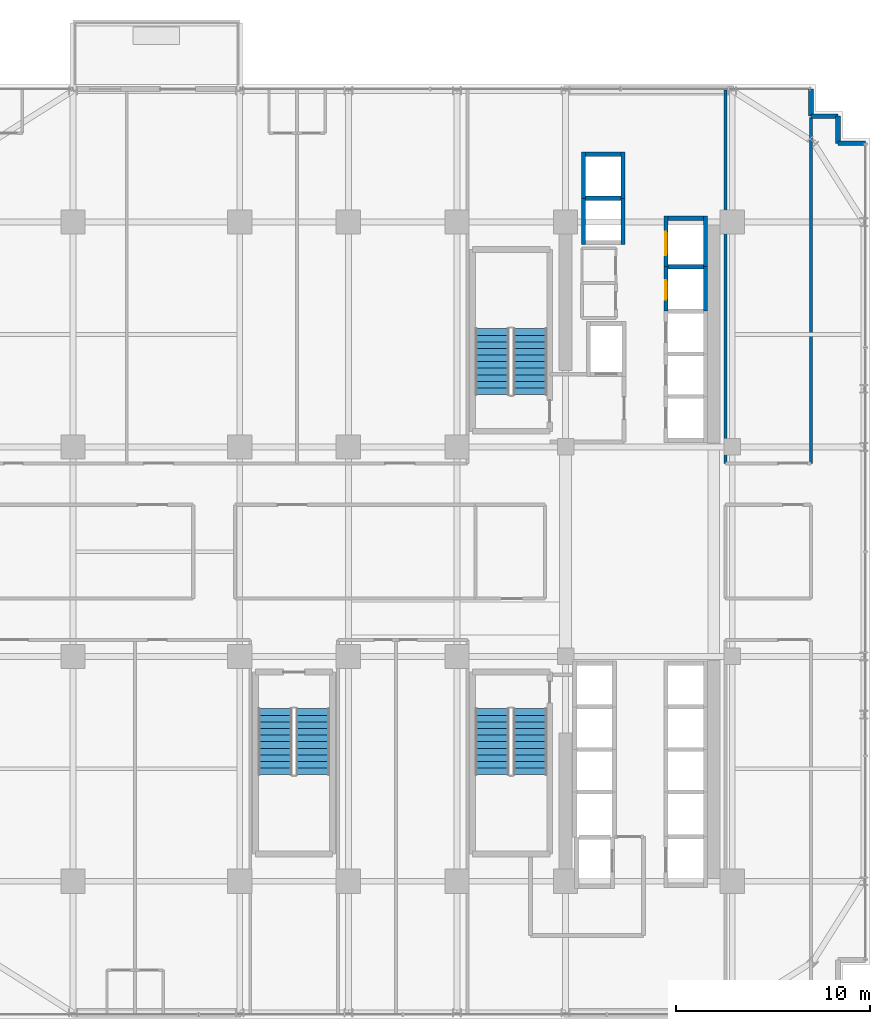
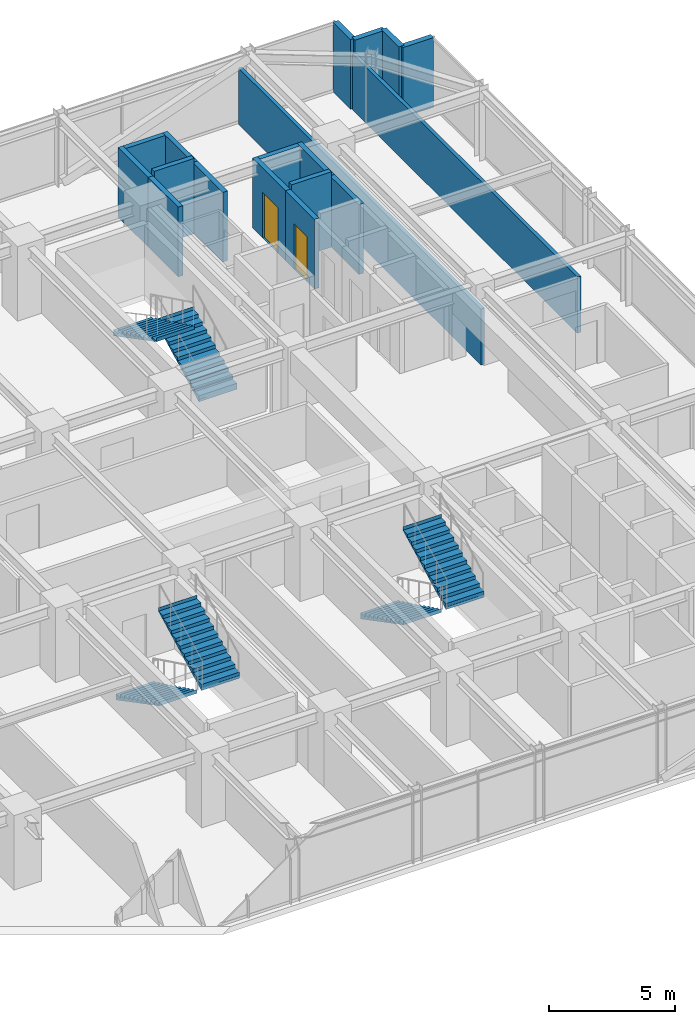
# One storey, part 31 of 35: 18 walls, 6 stair flights, 2 doors, 2 openings, 3 elements without a shape of their own.
"""IFC4 building model written with IfcOpenShell, lengths in metres."""

from ifc_helpers import new_model, si_unit, direction, frame, frame_2d, origin, place, context, subcontext, project, spatial, polyline, rectangle, outline, extrude, source, transform, mapped, material, layer, layer_set, type_object, element, fill, aggregate, save


model = new_model("IFC4")

# Units and contexts
model_context = context("Model", 3, precision=1e-05, world=origin(), true_north=direction((0.0, 1.0)))
body_context = subcontext(model_context, "Body", "Model", "MODEL_VIEW")
ifc_project = project(units=[si_unit("LENGTHUNIT", "METRE"), si_unit("AREAUNIT", "SQUARE_METRE"), si_unit("VOLUMEUNIT", "CUBIC_METRE"), si_unit("PLANEANGLEUNIT", "RADIAN"), si_unit("MASSUNIT", "GRAM", prefix="KILO")], contexts=[model_context])

# Site, building, storey
site_placement = place(None, origin())
site = spatial("IfcSite", under=ifc_project, at=site_placement, CompositionType="ELEMENT")
building_placement = place(site_placement, origin())
building = spatial("IfcBuilding", under=site, at=building_placement, Name="Nahalor Promenade Grand Hotel", CompositionType="ELEMENT")
storey_placement = place(building_placement, frame((0.0, 0.0, 106.550048828125)))
storey = spatial("IfcBuildingStorey", under=building, at=storey_placement, Name="L26", CompositionType="ELEMENT", Elevation=106.550048828125)

# Walls
ifc_material_1 = material(Name="Concrete B-50 (C40/50)", Category="concrete")
ifc_layer_1 = layer(ifc_material_1, 0.219970703125)
ifc_layer_set_1 = layer_set([ifc_layer_1], Name="Concrete B-50 (C40/50)")
wall_type_1 = type_object("IfcWallType", Name="Wall-LiftShaft-220", PredefinedType="SHEAR", material=ifc_layer_set_1)
shared_shape_1 = source(origin(), body_context, "Body", "SweptSolid", [
    extrude(rectangle(XDim=1.820068359375, YDim=0.219970703125, at=frame_2d((0.91015625, 0.0))), origin(), (0.0, 0.0, 1.0), 3.64990234375),
])
for number, where, z_axis, x_axis, name in (
    (1, (13.68994140625, 14.699951171875, 0.0), (0.0, 0.0, 1.0), (1.0, 0.0, 0.0), "L26 Lift PL4 Hoistway Wall N"),
    (2, (9.43994140625, 18.22509765625, 0.0), (0.0, 0.0, 1.0), (1.0, 0.0, 0.0), "L26 Lift OB1 Hoistway Wall N"),
):
    element("IfcWall", number, at=place(storey_placement, frame(where, z_axis=z_axis, x_axis=x_axis)), inside=storey, type_object=wall_type_1, Name=name, PredefinedType="SHEAR", context=body_context, shape_type="MappedRepresentation", body=[
        mapped(shared_shape_1, transform((0.0, 0.0, 0.0), scale=1.0)),
    ])
shared_shape_2 = source(origin(), body_context, "Body", "SweptSolid", [
    extrude(rectangle(XDim=1.820068359375, YDim=0.219970703125, at=frame_2d((0.91015625, 0.0))), origin(), (0.0, 0.0, 1.0), 3.3798828125),
])
for number, where, z_axis, x_axis, name in (
    (3, (9.43994140625, 20.5, 0.0), (0.0, 0.0, 1.0), (1.0, 0.0, 0.0), "L26 Lift OB2 Hoistway Wall N"),
    (4, (13.68994140625, 17.199951171875, 0.0), (0.0, 0.0, 1.0), (1.0, 0.0, 0.0), "L26 Lift SV1 Hoistway Wall N"),
):
    element("IfcWall", number, at=place(storey_placement, frame(where, z_axis=z_axis, x_axis=x_axis)), inside=storey, type_object=wall_type_1, Name=name, PredefinedType="SHEAR", context=body_context, shape_type="MappedRepresentation", body=[
        mapped(shared_shape_2, transform((0.0, 0.0, 0.0), scale=1.0)),
    ])

# Wall, opening, door
shared_shape_3 = source(origin(), body_context, "Body", "SweptSolid", [
    extrude(rectangle(XDim=2.300048828125, YDim=0.219970703125, at=frame_2d((1.14990234375, 0.0))), origin(), (0.0, 0.0, 1.0), 3.3798828125),
])
wall_1_placement = place(storey_placement, frame((13.580078125, 12.39990234375, 0.0), z_axis=(0.0, 0.0, 1.0), x_axis=(0.0, 1.0, 0.0)))
wall_1 = element("IfcWall", 5, at=wall_1_placement, inside=storey, type_object=wall_type_1, Name="L26 Lift PL4 Hoistway Wall W", PredefinedType="SHEAR", context=body_context, shape_type="MappedRepresentation", body=[
    mapped(shared_shape_3, transform((0.0, 0.0, 0.0), scale=1.0)),
])
opening_1_placement = place(wall_1_placement, frame((0.60009765625, 0.0, 0.0)))
opening_1 = element("IfcOpeningElement", 6, at=opening_1_placement, cuts=wall_1, Name="Opening LD-01", PredefinedType="OPENING", context=body_context, shape_type="SweptSolid", body=[
    extrude(rectangle(XDim=1.0, YDim=2.199951171875, at=frame_2d((0.5, 1.10009765625))), frame((0.0, 0.119873046875, 0.0), z_axis=(0.0, -1.0, 0.0), x_axis=(1.0, 0.0, 0.0)), (0.0, 0.0, 1.0), 0.239990234375),
])
ifc_material_2 = material(Name="Steel S355JR", Category="steel")
door_type_1 = type_object("IfcDoorType", Name="Door-LiftLanding-1000", OperationType="DOUBLE_DOOR_SLIDING", PredefinedType="DOOR", material=ifc_material_2)
shared_shape_4 = source(origin(), body_context, "Body", "SweptSolid", [
    extrude(rectangle(XDim=1.0, YDim=2.199951171875, at=frame_2d((0.5, 1.10009765625))), frame((0.0, 0.02490234375, 0.0), z_axis=(0.0, -1.0, 0.0), x_axis=(1.0, 0.0, 0.0)), (0.0, 0.0, 1.0), 0.050048828125),
])
door_1_placement = place(opening_1_placement, origin())
door_1 = element("IfcDoor", 7, at=door_1_placement, inside=storey, type_object=door_type_1, Name="DR-LIFT-PL4-L26", OperationType="DOUBLE_DOOR_SLIDING", OverallHeight=2.199951171875, OverallWidth=1.0, PredefinedType="DOOR", context=body_context, shape_type="MappedRepresentation", body=[
    mapped(shared_shape_4, transform((0.0, 0.0, 0.0), scale=1.0)),
])
fill(opening_1, door_1)

# Walls
wall_2_placement = place(storey_placement, frame((15.6201171875, 12.39990234375, 0.0), z_axis=(0.0, 0.0, 1.0), x_axis=(0.0, 1.0, 0.0)))
element("IfcWall", 8, at=wall_2_placement, inside=storey, type_object=wall_type_1, Name="L26 Lift PL4 Hoistway Wall E", PredefinedType="SHEAR", context=body_context, shape_type="MappedRepresentation", body=[
    mapped(shared_shape_3, transform((0.0, 0.0, 0.0), scale=1.0)),
])
shared_shape_5 = source(origin(), body_context, "Body", "SweptSolid", [
    extrude(rectangle(XDim=2.385009765625, YDim=0.219970703125, at=frame_2d((1.1923828125, 0.0))), origin(), (0.0, 0.0, 1.0), 3.3798828125),
])
for number, where, z_axis, x_axis, name in (
    (9, (9.330078125, 15.840087890625, 0.0), (0.0, 0.0, 1.0), (0.0, 1.0, 0.0), "L26 Lift OB1 Hoistway Wall W"),
    (10, (11.3701171875, 15.840087890625, 0.0), (0.0, 0.0, 1.0), (0.0, 1.0, 0.0), "L26 Lift OB1 Hoistway Wall E"),
    (11, (9.330078125, 18.22509765625, 0.0), (0.0, 0.0, 1.0), (0.0, 1.0, 0.0), "L26 Lift OB2 Hoistway Wall W"),
    (12, (11.3701171875, 18.22509765625, 0.0), (0.0, 0.0, 1.0), (0.0, 1.0, 0.0), "L26 Lift OB2 Hoistway Wall E"),
):
    element("IfcWall", number, at=place(storey_placement, frame(where, z_axis=z_axis, x_axis=x_axis)), inside=storey, type_object=wall_type_1, Name=name, PredefinedType="SHEAR", context=body_context, shape_type="MappedRepresentation", body=[
        mapped(shared_shape_5, transform((0.0, 0.0, 0.0), scale=1.0)),
    ])

# Wall, opening, door
shared_shape_6 = source(origin(), body_context, "Body", "SweptSolid", [
    extrude(rectangle(XDim=2.610107421875, YDim=0.219970703125, at=frame_2d((1.30517578125, 0.0))), origin(), (0.0, 0.0, 1.0), 3.3798828125),
])
wall_3_placement = place(storey_placement, frame((13.580078125, 14.699951171875, 0.0), z_axis=(0.0, 0.0, 1.0), x_axis=(0.0, 1.0, 0.0)))
wall_3 = element("IfcWall", 13, at=wall_3_placement, inside=storey, type_object=wall_type_1, Name="L26 Lift SV1 Hoistway Wall W", PredefinedType="SHEAR", context=body_context, shape_type="MappedRepresentation", body=[
    mapped(shared_shape_6, transform((0.0, 0.0, 0.0), scale=1.0)),
])
opening_2_placement = place(wall_3_placement, frame((0.60009765625, 0.0, 0.0)))
opening_2 = element("IfcOpeningElement", 14, at=opening_2_placement, cuts=wall_3, Name="Opening LD-03", PredefinedType="OPENING", context=body_context, shape_type="SweptSolid", body=[
    extrude(rectangle(XDim=1.199951171875, YDim=2.199951171875, at=frame_2d((0.60009765625, 1.10009765625))), frame((0.0, 0.119873046875, 0.0), z_axis=(0.0, -1.0, 0.0), x_axis=(1.0, 0.0, 0.0)), (0.0, 0.0, 1.0), 0.239990234375),
])
door_type_2 = type_object("IfcDoorType", Name="Door-LiftService-1200", OperationType="DOUBLE_DOOR_SLIDING", PredefinedType="DOOR", material=ifc_material_2)
shared_shape_7 = source(origin(), body_context, "Body", "SweptSolid", [
    extrude(rectangle(XDim=1.199951171875, YDim=2.199951171875, at=frame_2d((0.60009765625, 1.10009765625))), frame((0.0, 0.02490234375, 0.0), z_axis=(0.0, -1.0, 0.0), x_axis=(1.0, 0.0, 0.0)), (0.0, 0.0, 1.0), 0.050048828125),
])
door_2_placement = place(opening_2_placement, origin())
door_2 = element("IfcDoor", 15, at=door_2_placement, inside=storey, type_object=door_type_2, Name="DR-LIFT-SV1-L26", OperationType="DOUBLE_DOOR_SLIDING", OverallHeight=2.199951171875, OverallWidth=1.199951171875, PredefinedType="DOOR", context=body_context, shape_type="MappedRepresentation", body=[
    mapped(shared_shape_7, transform((0.0, 0.0, 0.0), scale=1.0)),
])
fill(opening_2, door_2)

# Walls
wall_4_placement = place(storey_placement, frame((15.6201171875, 14.699951171875, 0.0), z_axis=(0.0, 0.0, 1.0), x_axis=(0.0, 1.0, 0.0)))
element("IfcWall", 16, at=wall_4_placement, inside=storey, type_object=wall_type_1, Name="L26 Lift SV1 Hoistway Wall E", PredefinedType="SHEAR", context=body_context, shape_type="MappedRepresentation", body=[
    mapped(shared_shape_6, transform((0.0, 0.0, 0.0), scale=1.0)),
])
ifc_material_3 = material(Name="Concrete B-40 (C32/40)", Category="concrete")
ifc_layer_2 = layer(ifc_material_3, 0.25)
ifc_layer_set_2 = layer_set([ifc_layer_2], Name="Concrete B-40 (C32/40)")
wall_type_2 = type_object("IfcWallType", Name="Wall-BronzePier-250", PredefinedType="STANDARD", material=ifc_layer_set_2)
shared_shape_8 = source(origin(), body_context, "Body", "SweptSolid", [
    extrude(rectangle(XDim=1.400146484375, YDim=0.25, at=frame_2d((0.7001953125, 0.0))), origin(), (0.0, 0.0, 1.0), 3.3798828125),
])
for number, where, z_axis, x_axis, name in (
    (17, (22.4599609375, 21.06005859375, 0.0), (0.0, 0.0, 1.0), (1.0, 0.0, 0.0), "W-L26-SR-05"),
    (18, (21.06005859375, 22.4599609375, 0.0), (0.0, 0.0, 1.0), (0.0, 1.0, 0.0), "W-L26-SR-08"),
):
    element("IfcWall", number, at=place(storey_placement, frame(where, z_axis=z_axis, x_axis=x_axis)), inside=storey, type_object=wall_type_2, Name=name, PredefinedType="STANDARD", context=body_context, shape_type="MappedRepresentation", body=[
        mapped(shared_shape_8, transform((0.0, 0.0, 0.0), scale=1.0)),
    ])
shared_shape_9 = source(origin(), body_context, "Body", "SweptSolid", [
    extrude(rectangle(XDim=1.39990234375, YDim=0.25, at=frame_2d((0.699951171875, 0.0))), origin(), (0.0, 0.0, 1.0), 3.3798828125),
])
for number, where, z_axis, x_axis, name in (
    (19, (22.4599609375, 21.06005859375, 0.0), (0.0, 0.0, 1.0), (0.0, 1.0, 0.0), "W-L26-SR-06"),
    (20, (21.06005859375, 22.4599609375, 0.0), (0.0, 0.0, 1.0), (1.0, 0.0, 0.0), "W-L26-SR-07"),
):
    element("IfcWall", number, at=place(storey_placement, frame(where, z_axis=z_axis, x_axis=x_axis)), inside=storey, type_object=wall_type_2, Name=name, PredefinedType="STANDARD", context=body_context, shape_type="MappedRepresentation", body=[
        mapped(shared_shape_9, transform((0.0, 0.0, 0.0), scale=1.0)),
    ])
ifc_material_4 = material(Name="Acoustic Mineral Gypsum", Category="gypsum")
ifc_layer_3 = layer(ifc_material_4, 0.159912109375)
ifc_layer_set_3 = layer_set([ifc_layer_3], Name="Acoustic Mineral Gypsum")
wall_type_3 = type_object("IfcWallType", Name="Wall-PartCorridor-160", PredefinedType="PARTITIONING", material=ifc_layer_set_3)
shared_shape_10 = source(origin(), body_context, "Body", "SweptSolid", [
    extrude(rectangle(XDim=19.25, YDim=0.159912109375, at=frame_2d((9.625, 0.0))), origin(), (0.0, 0.0, 1.0), 2.719970703125),
])
wall_5_placement = place(storey_placement, frame((16.64990234375, 4.550048828125, 0.0), z_axis=(0.0, 0.0, 1.0), x_axis=(0.0, 1.0, 0.0)))
element("IfcWall", 21, at=wall_5_placement, inside=storey, type_object=wall_type_3, Name="W-L26-ENE-W", PredefinedType="PARTITIONING", context=body_context, shape_type="MappedRepresentation", body=[
    mapped(shared_shape_10, transform((0.0, 0.0, 0.0), scale=1.0)),
])
shared_shape_11 = source(origin(), body_context, "Body", "SweptSolid", [
    extrude(rectangle(XDim=17.829833984375, YDim=0.159912109375, at=frame_2d((8.9150390625, 0.0))), origin(), (0.0, 0.0, 1.0), 2.719970703125),
])
wall_6_placement = place(storey_placement, frame((21.06005859375, 4.550048828125, 0.0), z_axis=(0.0, 0.0, 1.0), x_axis=(0.0, 1.0, 0.0)))
element("IfcWall", 22, at=wall_6_placement, inside=storey, type_object=wall_type_3, Name="W-L26-ENE-E", PredefinedType="PARTITIONING", context=body_context, shape_type="MappedRepresentation", body=[
    mapped(shared_shape_11, transform((0.0, 0.0, 0.0), scale=1.0)),
])

# Stair, stair flights
stair_type_1 = type_object("IfcStairType", Name="Stair-ST1", PredefinedType="HALF_TURN_STAIR", material=ifc_material_1)
stair_1_placement = place(storey_placement, origin())
stair_1 = element("IfcStair", 23, at=stair_1_placement, inside=storey, type_object=stair_type_1, Name="L26 ST1", PredefinedType="HALF_TURN_STAIR")
ifc_layer_4 = layer(ifc_material_1, 0.179931640625)
ifc_layer_set_4 = layer_set([ifc_layer_4], Name="Concrete B-50 (C40/50)")
stair_flight_type_1 = type_object("IfcStairFlightType", Name="Flight-ST1", PredefinedType="STRAIGHT", material=ifc_layer_set_4)
shared_shape_12 = source(origin(), body_context, "Body", "SweptSolid", [
    extrude(outline(polyline([(-0.00390625, -0.1201171875), (-0.00390625, 0.0), (0.0, 0.0), (0.0, 0.166015625), (0.340087890625, 0.166015625), (0.340087890625, 0.331787109375), (0.679931640625, 0.331787109375), (0.679931640625, 0.497802734375), (1.02001953125, 0.497802734375), (1.02001953125, 0.66357421875), (1.360107421875, 0.66357421875), (1.360107421875, 0.82958984375), (1.699951171875, 0.82958984375), (1.699951171875, 0.995361328125), (2.0400390625, 0.995361328125), (2.0400390625, 1.161376953125), (2.3798828125, 1.161376953125), (2.3798828125, 1.327392578125), (2.719970703125, 1.327392578125), (2.719970703125, 1.4931640625), (3.06005859375, 1.4931640625), (3.06005859375, 1.6591796875), (3.39990234375, 1.6591796875), (3.39990234375, 1.824951171875), (3.404052734375, 1.824951171875), (3.404052734375, 1.64501953125), (0.02001953125, -0.1201171875), (-0.00390625, -0.1201171875)])), frame((0.0, 0.875, 0.0), z_axis=(0.0, -1.0, 0.0), x_axis=(1.0, 0.0, 0.0)), (0.0, 0.0, 1.0), 1.75),
])
stair_flight_1_placement = place(storey_placement, frame((6.574951171875, 8.10009765625, 0.0), z_axis=(0.0, 0.0, 1.0), x_axis=(0.0, 1.0, 0.0)))
stair_flight_1 = element("IfcStairFlight", 24, at=stair_flight_1_placement, type_object=stair_flight_type_1, Name="ST1 flight 1", NumberOfRisers=11, NumberOfTreads=10, PredefinedType="STRAIGHT", RiserHeight=0.165909091, TreadLength=0.34, context=body_context, shape_type="MappedRepresentation", body=[
    mapped(shared_shape_12, transform((0.0, 0.0, 0.0), scale=1.0)),
])
stair_flight_2_placement = place(storey_placement, frame((4.625, 11.5, 1.824951171875), z_axis=(0.0, 0.0, 1.0), x_axis=(0.0, -1.0, 0.0)))
stair_flight_2 = element("IfcStairFlight", 25, at=stair_flight_2_placement, type_object=stair_flight_type_1, Name="ST1 flight 2", NumberOfRisers=11, NumberOfTreads=10, PredefinedType="STRAIGHT", RiserHeight=0.165909091, TreadLength=0.34, context=body_context, shape_type="MappedRepresentation", body=[
    mapped(shared_shape_12, transform((0.0, 0.0, 0.0), scale=1.0)),
])
aggregate(stair_1, [stair_flight_1, stair_flight_2])

stair_type_2 = type_object("IfcStairType", Name="Stair-ST2", PredefinedType="HALF_TURN_STAIR", material=ifc_material_1)
stair_2_placement = place(storey_placement, origin())
stair_2 = element("IfcStair", 26, at=stair_2_placement, inside=storey, type_object=stair_type_2, Name="L26 ST2", PredefinedType="HALF_TURN_STAIR")
ifc_layer_5 = layer(ifc_material_1, 0.18994140625)
ifc_layer_set_5 = layer_set([ifc_layer_5], Name="Concrete B-50 (C40/50)")
stair_flight_type_2 = type_object("IfcStairFlightType", Name="Flight-ST2", PredefinedType="STRAIGHT", material=ifc_layer_set_5)
shared_shape_13 = source(origin(), body_context, "Body", "SweptSolid", [
    extrude(outline(polyline([(-0.00390625, -0.1201171875), (-0.00390625, 0.0), (0.0, 0.0), (0.0, 0.166015625), (0.340087890625, 0.166015625), (0.340087890625, 0.331787109375), (0.679931640625, 0.331787109375), (0.679931640625, 0.497802734375), (1.02001953125, 0.497802734375), (1.02001953125, 0.66357421875), (1.360107421875, 0.66357421875), (1.360107421875, 0.82958984375), (1.699951171875, 0.82958984375), (1.699951171875, 0.995361328125), (2.0400390625, 0.995361328125), (2.0400390625, 1.161376953125), (2.3798828125, 1.161376953125), (2.3798828125, 1.327392578125), (2.719970703125, 1.327392578125), (2.719970703125, 1.4931640625), (3.06005859375, 1.4931640625), (3.06005859375, 1.6591796875), (3.39990234375, 1.6591796875), (3.39990234375, 1.824951171875), (3.404052734375, 1.824951171875), (3.404052734375, 1.64501953125), (0.02001953125, -0.1201171875), (-0.00390625, -0.1201171875)])), frame((0.0, 0.875, 0.0), z_axis=(0.0, -1.0, 0.0), x_axis=(1.0, 0.0, 0.0)), (0.0, 0.0, 1.0), 1.75),
])
stair_flight_3_placement = place(storey_placement, frame((4.625, -8.10009765625, 0.0), z_axis=(0.0, 0.0, 1.0), x_axis=(0.0, -1.0, 0.0)))
stair_flight_3 = element("IfcStairFlight", 27, at=stair_flight_3_placement, type_object=stair_flight_type_2, Name="ST2 flight 1", NumberOfRisers=11, NumberOfTreads=10, PredefinedType="STRAIGHT", RiserHeight=0.165909091, TreadLength=0.34, context=body_context, shape_type="MappedRepresentation", body=[
    mapped(shared_shape_13, transform((0.0, 0.0, 0.0), scale=1.0)),
])
stair_flight_4_placement = place(storey_placement, frame((6.574951171875, -11.5, 1.824951171875), z_axis=(0.0, 0.0, 1.0), x_axis=(0.0, 1.0, 0.0)))
stair_flight_4 = element("IfcStairFlight", 28, at=stair_flight_4_placement, type_object=stair_flight_type_2, Name="ST2 flight 2", NumberOfRisers=11, NumberOfTreads=10, PredefinedType="STRAIGHT", RiserHeight=0.165909091, TreadLength=0.34, context=body_context, shape_type="MappedRepresentation", body=[
    mapped(shared_shape_13, transform((0.0, 0.0, 0.0), scale=1.0)),
])
aggregate(stair_2, [stair_flight_3, stair_flight_4])

stair_type_3 = type_object("IfcStairType", Name="Stair-ST3", PredefinedType="HALF_TURN_STAIR", material=ifc_material_1)
stair_3_placement = place(storey_placement, origin())
stair_3 = element("IfcStair", 29, at=stair_3_placement, inside=storey, type_object=stair_type_3, Name="L26 ST3", PredefinedType="HALF_TURN_STAIR")
ifc_layer_6 = layer(ifc_material_1, 0.199951171875)
ifc_layer_set_6 = layer_set([ifc_layer_6], Name="Concrete B-50 (C40/50)")
stair_flight_type_3 = type_object("IfcStairFlightType", Name="Flight-ST3", PredefinedType="STRAIGHT", material=ifc_layer_set_6)
shared_shape_14 = source(origin(), body_context, "Body", "SweptSolid", [
    extrude(outline(polyline([(-0.00390625, -0.1201171875), (-0.00390625, 0.0), (0.0, 0.0), (0.0, 0.166015625), (0.340087890625, 0.166015625), (0.340087890625, 0.331787109375), (0.679931640625, 0.331787109375), (0.679931640625, 0.497802734375), (1.02001953125, 0.497802734375), (1.02001953125, 0.66357421875), (1.360107421875, 0.66357421875), (1.360107421875, 0.82958984375), (1.699951171875, 0.82958984375), (1.699951171875, 0.995361328125), (2.0400390625, 0.995361328125), (2.0400390625, 1.161376953125), (2.3798828125, 1.161376953125), (2.3798828125, 1.327392578125), (2.719970703125, 1.327392578125), (2.719970703125, 1.4931640625), (3.06005859375, 1.4931640625), (3.06005859375, 1.6591796875), (3.39990234375, 1.6591796875), (3.39990234375, 1.824951171875), (3.404052734375, 1.824951171875), (3.404052734375, 1.64501953125), (0.02001953125, -0.1201171875), (-0.00390625, -0.1201171875)])), frame((0.0, 0.875, 0.0), z_axis=(0.0, -1.0, 0.0), x_axis=(1.0, 0.0, 0.0)), (0.0, 0.0, 1.0), 1.75),
])
stair_flight_5_placement = place(storey_placement, frame((-6.574951171875, -8.10009765625, 0.0), z_axis=(0.0, 0.0, 1.0), x_axis=(0.0, -1.0, 0.0)))
stair_flight_5 = element("IfcStairFlight", 30, at=stair_flight_5_placement, type_object=stair_flight_type_3, Name="ST3 flight 1", NumberOfRisers=11, NumberOfTreads=10, PredefinedType="STRAIGHT", RiserHeight=0.165909091, TreadLength=0.34, context=body_context, shape_type="MappedRepresentation", body=[
    mapped(shared_shape_14, transform((0.0, 0.0, 0.0), scale=1.0)),
])
stair_flight_6_placement = place(storey_placement, frame((-4.625, -11.5, 1.824951171875), z_axis=(0.0, 0.0, 1.0), x_axis=(0.0, 1.0, 0.0)))
stair_flight_6 = element("IfcStairFlight", 31, at=stair_flight_6_placement, type_object=stair_flight_type_3, Name="ST3 flight 2", NumberOfRisers=11, NumberOfTreads=10, PredefinedType="STRAIGHT", RiserHeight=0.165909091, TreadLength=0.34, context=body_context, shape_type="MappedRepresentation", body=[
    mapped(shared_shape_14, transform((0.0, 0.0, 0.0), scale=1.0)),
])
aggregate(stair_3, [stair_flight_5, stair_flight_6])

save(model, "model.ifc")
